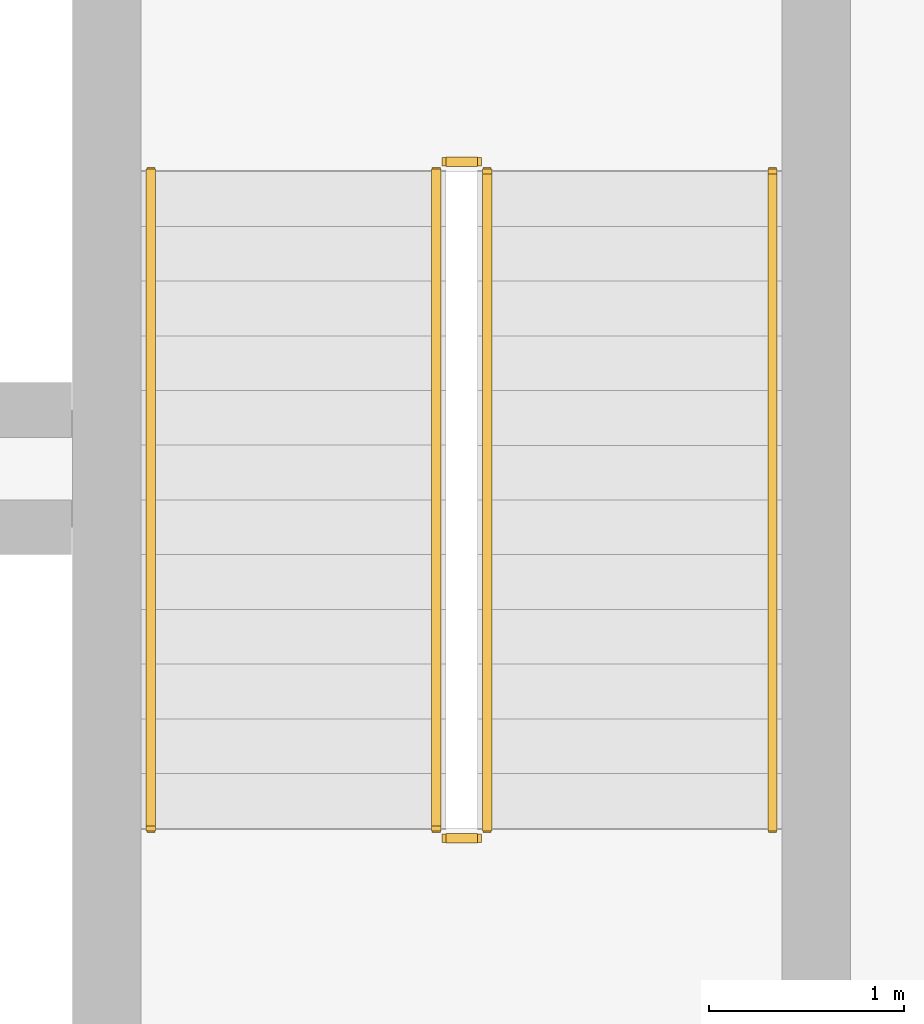
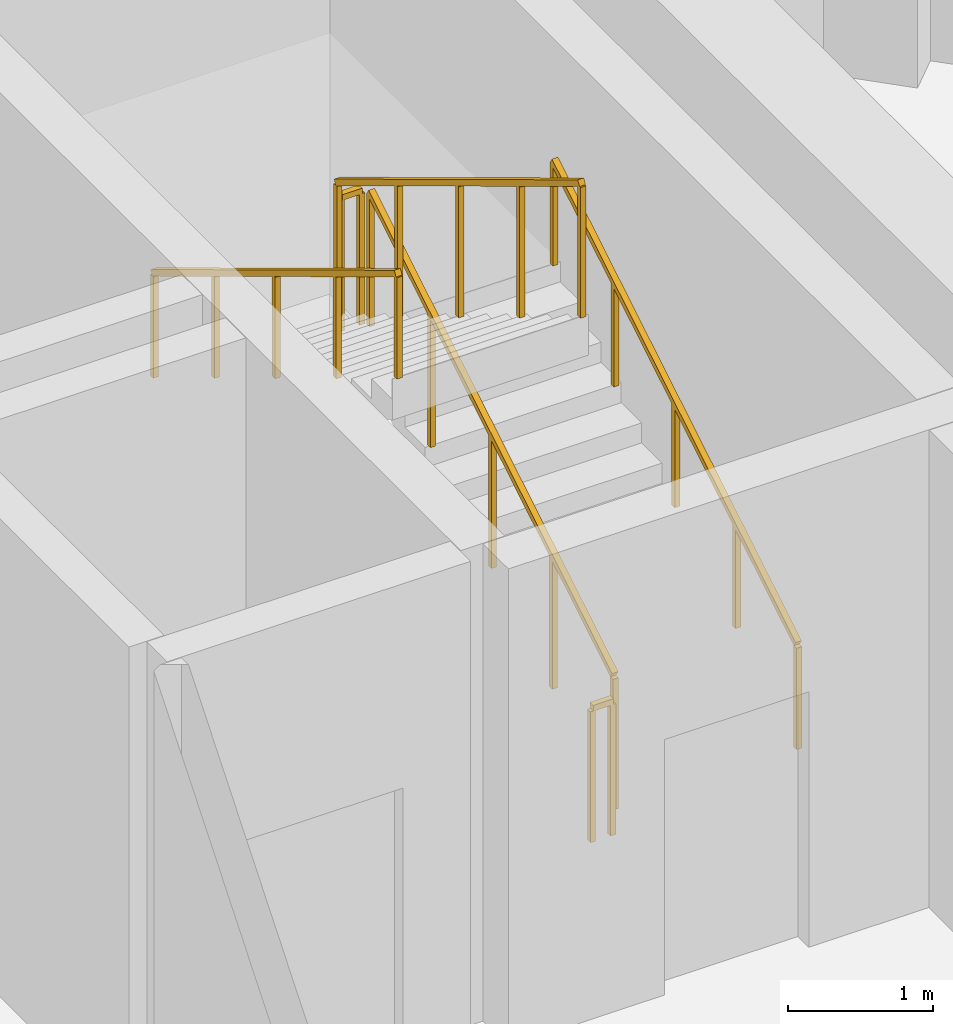
# One storey, part 10 of 10: 6 railings.
"""IFC4 building model written with IfcOpenShell, lengths in metres."""

import ifcopenshell
import ifcopenshell.guid

model = None  # the IFC model being written
_history = None  # IfcOwnerHistory: only IFC2X3 demands one
_inside = {}  # id of a spatial element -> (the spatial element, [elements in it])
_under = {}  # id of a project, library or spatial element -> (it, [spatial elements below it])
_declared = {}  # id of a project -> (the project, [libraries it declares])
_typed = {}  # id of a type object -> (the type object, [elements of that type])
_made_of = {}  # id of a material, layer set ... -> (it, [elements and type objects made of it])


def new_model(schema):
    """Start an empty IFC model of exactly this schema.

    Asked for "IFC4X3", IfcOpenShell would pick the latest addendum, in which some entities
    have other attributes; the version numbers below select the first issue.
    IFC2X3 requires an IfcOwnerHistory on every rooted entity: one is made here for all.
    """
    global model, _history
    if schema == "IFC4X3":
        model = ifcopenshell.file(schema_version=(4, 3, 0, 0))
    else:
        model = ifcopenshell.file(schema=schema)
    _inside.clear()
    _under.clear()
    _declared.clear()
    _typed.clear()
    _made_of.clear()
    _history = None
    if model.schema == "IFC2X3":
        org = make("IfcOrganization", Name="unknown")
        user = make(
            "IfcPersonAndOrganization",
            ThePerson=make("IfcPerson", FamilyName="unknown"),
            TheOrganization=org,
        )
        app = make(
            "IfcApplication",
            ApplicationDeveloper=org,
            Version="unknown",
            ApplicationFullName="unknown",
            ApplicationIdentifier="unknown",
        )
        _history = make(
            "IfcOwnerHistory",
            OwningUser=user,
            OwningApplication=app,
            ChangeAction="ADDED",
            CreationDate=0,
        )
    return model


def make(cls, **values):
    """One entity of the class cls with the attributes given. An attribute that is None is left unset."""
    return model.create_entity(
        cls, **{name: value for name, value in values.items() if value is not None}
    )


def rooted(cls, **values):
    """An entity with a GlobalId (a new one), such as an element, a storey or a relation."""
    return make(cls, GlobalId=ifcopenshell.guid.new(), OwnerHistory=_history, **values)


def si_unit(unit_type, name, prefix=None):
    """IfcSIUnit, for example si_unit("LENGTHUNIT", "METRE", prefix="MILLI")."""
    return make("IfcSIUnit", UnitType=unit_type, Prefix=prefix, Name=name)


def assignment(units):
    """IfcUnitAssignment: the units of a project."""
    return None if units is None else make("IfcUnitAssignment", Units=units)


def point(xyz):
    """IfcCartesianPoint."""
    return None if xyz is None else make("IfcCartesianPoint", Coordinates=xyz)


def direction(xyz):
    """IfcDirection."""
    return None if xyz is None else make("IfcDirection", DirectionRatios=xyz)


def frame(location, z_axis=None, x_axis=None):
    """IfcAxis2Placement3D, a coordinate frame: its origin and axes. An axis left out is left unset."""
    return make(
        "IfcAxis2Placement3D",
        Location=point(location),
        Axis=direction(z_axis),
        RefDirection=direction(x_axis),
    )


def frame_2d(location, x_axis=None):
    """IfcAxis2Placement2D, a coordinate frame in the plane: its origin and x axis."""
    return make(
        "IfcAxis2Placement2D", Location=point(location), RefDirection=direction(x_axis)
    )


def origin():
    """The frame at (0, 0, 0) with its axes left unset."""
    return frame((0.0, 0.0, 0.0))


def origin_2d():
    """The frame at (0, 0) in the plane with its x axis left unset."""
    return frame_2d((0.0, 0.0))


def place(relative_to, where):
    """IfcLocalPlacement: puts the frame where relative to a parent placement (None: the world)."""
    return make(
        "IfcLocalPlacement", PlacementRelTo=relative_to, RelativePlacement=where
    )


def context(
    kind, dimensions, precision=None, world=None, true_north=None, identifier=None
):
    """IfcGeometricRepresentationContext, for example the 3D "Model" context."""
    return make(
        "IfcGeometricRepresentationContext",
        ContextIdentifier=identifier,
        ContextType=kind,
        CoordinateSpaceDimension=dimensions,
        Precision=precision,
        WorldCoordinateSystem=world,
        TrueNorth=true_north,
    )


def subcontext(parent, identifier, kind, view, scale=None):
    """IfcGeometricRepresentationSubContext, for example "Body" below "Model"."""
    return make(
        "IfcGeometricRepresentationSubContext",
        ContextIdentifier=identifier,
        ContextType=kind,
        ParentContext=parent,
        TargetScale=scale,
        TargetView=view,
    )


def project(units=None, contexts=None):
    """IfcProject with its units and contexts."""
    return rooted(
        "IfcProject",
        Name="project",
        RepresentationContexts=contexts,
        UnitsInContext=assignment(units),
    )


def spatial(cls, under=None, at=None, **own):
    """A site, building, storey or space (cls), placed at a placement, below another one or the project."""
    s = rooted(cls, ObjectPlacement=at, **own)
    if under is not None:
        _under.setdefault(under.id(), (under, []))[1].append(s)
    return s


def profile(cls, at=None, kind="AREA", **sizes):
    """A parametric profile (cls). Its sizes go by their IFC names, for example OverallWidth=200.0."""
    return make(cls, ProfileType=kind, Position=at, **sizes)


def rectangle(**sizes):
    """IfcRectangleProfileDef."""
    return profile("IfcRectangleProfileDef", **sizes)


def extrude(swept, where, along, depth):
    """IfcExtrudedAreaSolid: the profile swept, set in the frame where, extruded along a direction by depth."""
    return make(
        "IfcExtrudedAreaSolid",
        SweptArea=swept,
        Position=where,
        ExtrudedDirection=direction(along),
        Depth=depth,
    )


def shape(context_of_items, identifier, shape_type, items):
    """IfcShapeRepresentation: the items that make up one representation, for example the "Body"."""
    return make(
        "IfcShapeRepresentation",
        ContextOfItems=context_of_items,
        RepresentationIdentifier=identifier,
        RepresentationType=shape_type,
        Items=items,
    )


def material(Name=None, Category=None):
    """IfcMaterial."""
    return make("IfcMaterial", Name=Name, Category=Category)


def made_of(thing, what):
    """Note that an element or type object is made of a material, layer set ...; save() writes the relation."""
    if what is not None:
        _made_of.setdefault(what.id(), (what, []))[1].append(thing)
    return thing


def type_object(cls, material=None, **own):
    """A type object (cls), such as IfcWallType, which elements share."""
    return made_of(rooted(cls, **own), material)


def element(
    cls,
    number,
    at=None,
    inside=None,
    cuts=None,
    type_object=None,
    material=None,
    context=None,
    identifier="Body",
    shape_type=None,
    held_by="IfcProductDefinitionShape",
    body=None,
    shapes=None,
    **own,
):
    """One element of the class cls, such as IfcWall. Its Tag is "e" and its number.

    at: its placement. inside: the storey or other place that contains it. cuts: it is an
    opening in that element (IfcRelVoidsElement). A single representation is given by context,
    identifier, shape_type and body (its items); several are given by shapes. held_by: the class
    of the entity that holds the representations. save() writes the other relations.
    """
    e = rooted(cls, Tag="e%d" % number, ObjectPlacement=at, **own)
    if body is not None:
        shapes = [shape(context, identifier, shape_type, body)]
    if shapes is not None:
        e.Representation = make(held_by, Representations=shapes)
    if inside is not None:
        _inside.setdefault(inside.id(), (inside, []))[1].append(e)
    if cuts is not None:
        rooted(
            "IfcRelVoidsElement", RelatingBuildingElement=cuts, RelatedOpeningElement=e
        )
    if type_object is not None:
        _typed.setdefault(type_object.id(), (type_object, []))[1].append(e)
    return made_of(e, material)


def aggregate(whole, parts):
    """IfcRelAggregates: a whole, such as a stair, and the parts it consists of."""
    return rooted("IfcRelAggregates", RelatingObject=whole, RelatedObjects=parts)


def save(model, path):
    """Write the relations noted so far, then the file.

    IfcRelAggregates (storeys below a building ...), IfcRelContainedInSpatialStructure (elements
    in a storey), IfcRelDefinesByType, IfcRelAssociatesMaterial and IfcRelDeclares: one each for
    every whole, place, type object, material and project.
    """
    for whole, parts in _under.values():
        aggregate(whole, parts)
    for where, things in _inside.values():
        rooted(
            "IfcRelContainedInSpatialStructure",
            RelatedElements=things,
            RelatingStructure=where,
        )
    for kind, things in _typed.values():
        rooted("IfcRelDefinesByType", RelatedObjects=things, RelatingType=kind)
    for what, things in _made_of.values():
        rooted("IfcRelAssociatesMaterial", RelatedObjects=things, RelatingMaterial=what)
    for by, libraries in _declared.values():
        rooted("IfcRelDeclares", RelatingContext=by, RelatedDefinitions=libraries)
    model.write(path)


model = new_model("IFC4")

# Units and contexts
model_context = context("Model", 3, precision=1e-05, world=origin(), true_north=direction((0.0, 1.0)))
body_context = subcontext(model_context, "Body", "Model", "MODEL_VIEW")
ifc_project = project(units=[si_unit("LENGTHUNIT", "METRE"), si_unit("AREAUNIT", "SQUARE_METRE"), si_unit("VOLUMEUNIT", "CUBIC_METRE"), si_unit("PLANEANGLEUNIT", "RADIAN"), si_unit("MASSUNIT", "GRAM", prefix="KILO")], contexts=[model_context])

# Site, building, storey
site_placement = place(None, origin())
site = spatial("IfcSite", under=ifc_project, at=site_placement, CompositionType="ELEMENT")
building_placement = place(site_placement, origin())
building = spatial("IfcBuilding", under=site, at=building_placement, Name="Kaelvorn Grand Hotel", CompositionType="ELEMENT")
storey_placement = place(building_placement, frame((0.0, 0.0, 290.300048828125)))
storey = spatial("IfcBuildingStorey", under=building, at=storey_placement, Name="L71", CompositionType="ELEMENT", Elevation=290.300048828125)

# Railings
ifc_material = material(Name="Stainless Steel", Category="steel")
railing_type_1 = type_object("IfcRailingType", Name="RL-HANDRAIL-900", PredefinedType="HANDRAIL", material=ifc_material)
railing_1_placement = place(storey_placement, frame((66.550048828125, 41.760009765625, 0.169189453125)))
element("IfcRailing", 1, at=railing_1_placement, inside=storey, type_object=railing_type_1, Name="L71 ST3 stair handrail 1", PredefinedType="HANDRAIL", context=body_context, shape_type="SweptSolid", body=[
    extrude(rectangle(XDim=0.048095703125, YDim=0.048095703125, at=origin_2d()), frame((0.0, 0.0, 0.8759765625), z_axis=(0.0, 0.855836976705, 0.517245656632), x_axis=(-1.0, 0.0, 0.0)), (0.0, 0.0, 1.0), 3.926025390625),
    extrude(rectangle(XDim=0.0419921875, YDim=0.0419921875, at=origin_2d()), origin(), (0.0, 0.0, 1.0), 0.851806640625),
    extrude(rectangle(XDim=0.0419921875, YDim=0.0419921875, at=origin_2d()), frame((0.0, 0.840087890625, 0.5078125)), (0.0, 0.0, 1.0), 0.851806640625),
    extrude(rectangle(XDim=0.0419921875, YDim=0.0419921875, at=origin_2d()), frame((0.0, 1.68017578125, 1.015380859375)), (0.0, 0.0, 1.0), 0.851806640625),
    extrude(rectangle(XDim=0.0419921875, YDim=0.0419921875, at=origin_2d()), frame((0.0, 2.52001953125, 1.52294921875)), (0.0, 0.0, 1.0), 0.851806640625),
    extrude(rectangle(XDim=0.0419921875, YDim=0.0419921875, at=origin_2d()), frame((0.0, 3.360107421875, 2.03076171875)), (0.0, 0.0, 1.0), 0.851806640625),
])
railing_2_placement = place(storey_placement, frame((63.3701171875, 45.1201171875, 2.369140625)))
element("IfcRailing", 2, at=railing_2_placement, inside=storey, type_object=railing_type_1, Name="L71 ST3 stair handrail 2", PredefinedType="HANDRAIL", context=body_context, shape_type="SweptSolid", body=[
    extrude(rectangle(XDim=0.048095703125, YDim=0.048095703125, at=origin_2d()), frame((0.0, 0.0, 0.8759765625), z_axis=(0.0, -0.855836976705, 0.517245656632), x_axis=(1.0, 0.0, 0.0)), (0.0, 0.0, 1.0), 3.926025390625),
    extrude(rectangle(XDim=0.0419921875, YDim=0.0419921875, at=origin_2d()), origin(), (0.0, 0.0, 1.0), 0.851806640625),
    extrude(rectangle(XDim=0.0419921875, YDim=0.0419921875, at=origin_2d()), frame((0.0, -0.840087890625, 0.5078125)), (0.0, 0.0, 1.0), 0.851806640625),
    extrude(rectangle(XDim=0.0419921875, YDim=0.0419921875, at=origin_2d()), frame((0.0, -1.68017578125, 1.015380859375)), (0.0, 0.0, 1.0), 0.851806640625),
    extrude(rectangle(XDim=0.0419921875, YDim=0.0419921875, at=origin_2d()), frame((0.0, -2.52001953125, 1.52294921875)), (0.0, 0.0, 1.0), 0.851806640625),
    extrude(rectangle(XDim=0.0419921875, YDim=0.0419921875, at=origin_2d()), frame((0.0, -3.360107421875, 2.03076171875)), (0.0, 0.0, 1.0), 0.851806640625),
])
railing_type_2 = type_object("IfcRailingType", Name="RL-STAIR-GUARD-1150", PredefinedType="BALUSTRADE", material=ifc_material)
railing_3_placement = place(storey_placement, frame((65.090087890625, 41.760009765625, 0.169189453125)))
element("IfcRailing", 3, at=railing_3_placement, inside=storey, type_object=railing_type_2, Name="L71 ST3 stair guard 1", PredefinedType="BALUSTRADE", context=body_context, shape_type="SweptSolid", body=[
    extrude(rectangle(XDim=0.048095703125, YDim=0.048095703125, at=origin_2d()), frame((0.0, 0.0, 1.1259765625), z_axis=(0.0, 0.855836976705, 0.517245656632), x_axis=(-1.0, 0.0, 0.0)), (0.0, 0.0, 1.0), 3.926025390625),
    extrude(rectangle(XDim=0.0419921875, YDim=0.0419921875, at=origin_2d()), origin(), (0.0, 0.0, 1.0), 1.101806640625),
    extrude(rectangle(XDim=0.0419921875, YDim=0.0419921875, at=origin_2d()), frame((0.0, 0.840087890625, 0.5078125)), (0.0, 0.0, 1.0), 1.101806640625),
    extrude(rectangle(XDim=0.0419921875, YDim=0.0419921875, at=origin_2d()), frame((0.0, 1.68017578125, 1.015380859375)), (0.0, 0.0, 1.0), 1.101806640625),
    extrude(rectangle(XDim=0.0419921875, YDim=0.0419921875, at=origin_2d()), frame((0.0, 2.52001953125, 1.52294921875)), (0.0, 0.0, 1.0), 1.101806640625),
    extrude(rectangle(XDim=0.0419921875, YDim=0.0419921875, at=origin_2d()), frame((0.0, 3.360107421875, 2.03076171875)), (0.0, 0.0, 1.0), 1.101806640625),
])
railing_4_placement = place(storey_placement, frame((65.0400390625, 45.169921875, 2.199951171875)))
element("IfcRailing", 4, at=railing_4_placement, inside=storey, type_object=railing_type_2, Name="L71 ST3 stair guard 2", PredefinedType="BALUSTRADE", context=body_context, shape_type="SweptSolid", body=[
    extrude(rectangle(XDim=0.048095703125, YDim=0.048095703125, at=origin_2d()), frame((0.0, 0.0, 1.1259765625), z_axis=(-1.0, 0.0, 0.0), x_axis=(0.0, -1.0, 0.0)), (0.0, 0.0, 1.0), 0.16015625),
    extrude(rectangle(XDim=0.0419921875, YDim=0.0419921875, at=origin_2d()), origin(), (0.0, 0.0, 1.0), 1.101806640625),
    extrude(rectangle(XDim=0.0419921875, YDim=0.0419921875, at=origin_2d()), frame((-0.16015625, 0.0, 0.0)), (0.0, 0.0, 1.0), 1.101806640625),
])
railing_5_placement = place(storey_placement, frame((64.830078125, 45.1201171875, 2.369140625)))
element("IfcRailing", 5, at=railing_5_placement, inside=storey, type_object=railing_type_2, Name="L71 ST3 stair guard 3", PredefinedType="BALUSTRADE", context=body_context, shape_type="SweptSolid", body=[
    extrude(rectangle(XDim=0.048095703125, YDim=0.048095703125, at=origin_2d()), frame((0.0, 0.0, 1.1259765625), z_axis=(0.0, -0.855836976705, 0.517245656632), x_axis=(1.0, 0.0, 0.0)), (0.0, 0.0, 1.0), 3.926025390625),
    extrude(rectangle(XDim=0.0419921875, YDim=0.0419921875, at=origin_2d()), origin(), (0.0, 0.0, 1.0), 1.101806640625),
    extrude(rectangle(XDim=0.0419921875, YDim=0.0419921875, at=origin_2d()), frame((0.0, -0.840087890625, 0.5078125)), (0.0, 0.0, 1.0), 1.101806640625),
    extrude(rectangle(XDim=0.0419921875, YDim=0.0419921875, at=origin_2d()), frame((0.0, -1.68017578125, 1.015380859375)), (0.0, 0.0, 1.0), 1.101806640625),
    extrude(rectangle(XDim=0.0419921875, YDim=0.0419921875, at=origin_2d()), frame((0.0, -2.52001953125, 1.52294921875)), (0.0, 0.0, 1.0), 1.101806640625),
    extrude(rectangle(XDim=0.0419921875, YDim=0.0419921875, at=origin_2d()), frame((0.0, -3.360107421875, 2.03076171875)), (0.0, 0.0, 1.0), 1.101806640625),
])
railing_6_placement = place(storey_placement, frame((65.0400390625, 41.7099609375, 0.0)))
element("IfcRailing", 6, at=railing_6_placement, inside=storey, type_object=railing_type_2, Name="L71 ST3 stair guard 4", PredefinedType="BALUSTRADE", context=body_context, shape_type="SweptSolid", body=[
    extrude(rectangle(XDim=0.048095703125, YDim=0.048095703125, at=origin_2d()), frame((0.0, 0.0, 1.1259765625), z_axis=(-1.0, 0.0, 0.0), x_axis=(0.0, -1.0, 0.0)), (0.0, 0.0, 1.0), 0.16015625),
    extrude(rectangle(XDim=0.0419921875, YDim=0.0419921875, at=origin_2d()), origin(), (0.0, 0.0, 1.0), 1.101806640625),
    extrude(rectangle(XDim=0.0419921875, YDim=0.0419921875, at=origin_2d()), frame((-0.16015625, 0.0, 0.0)), (0.0, 0.0, 1.0), 1.101806640625),
])

save(model, "model.ifc")
